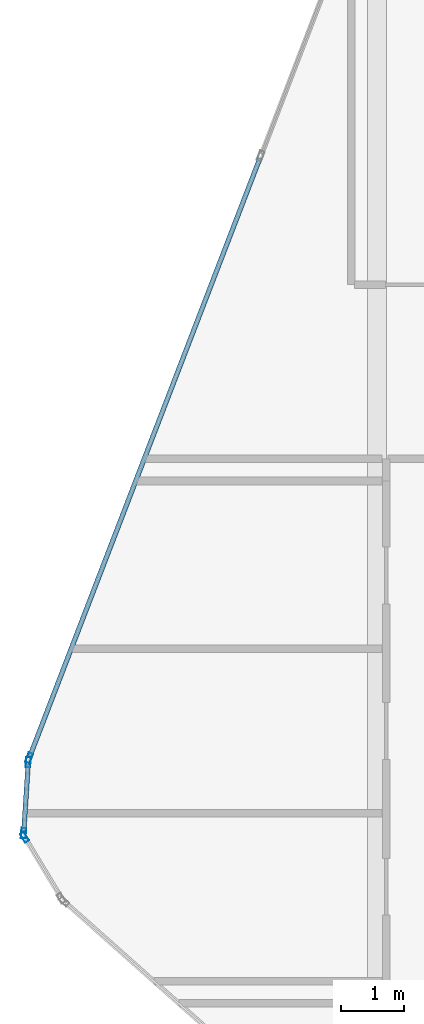
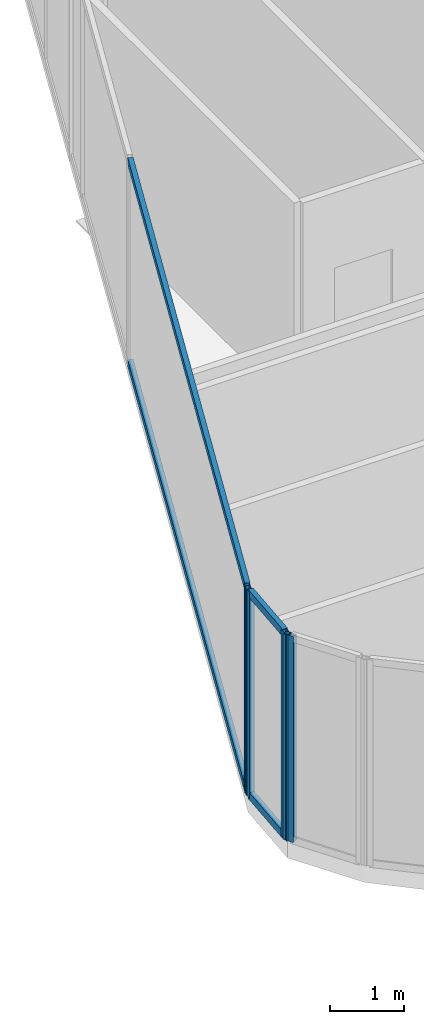
# One storey, part 8 of 27: 8 members, 3 elements without a shape of their own.
"""IFC4 building model written with IfcOpenShell, lengths in metres."""

from ifc_helpers import new_model, si_unit, direction, frame, origin, origin_2d, place, context, subcontext, project, spatial, hollow_rectangle, extrude, material, layer, layer_set, material_profile, profile_set, type_object, element, aggregate, save


model = new_model("IFC4")

# Units and contexts
model_context = context("Model", 3, precision=1e-05, world=origin(), true_north=direction((0.0, 1.0)))
body_context = subcontext(model_context, "Body", "Model", "MODEL_VIEW")
ifc_project = project(units=[si_unit("LENGTHUNIT", "METRE"), si_unit("AREAUNIT", "SQUARE_METRE"), si_unit("VOLUMEUNIT", "CUBIC_METRE"), si_unit("PLANEANGLEUNIT", "RADIAN"), si_unit("MASSUNIT", "GRAM", prefix="KILO")], contexts=[model_context])

# Site, building, storey
site_placement = place(None, origin())
site = spatial("IfcSite", under=ifc_project, at=site_placement, CompositionType="ELEMENT")
building_placement = place(site_placement, origin())
building = spatial("IfcBuilding", under=site, at=building_placement, Name="Keshet Zoharim Tower", CompositionType="ELEMENT")
storey_placement = place(building_placement, frame((0.0, 0.0, 307.300048828125)))
storey = spatial("IfcBuildingStorey", under=building, at=storey_placement, Name="L77", CompositionType="ELEMENT", Elevation=307.300048828125)

# Curtain wall, member
ifc_material = material(Name="Aluminium 6063-T6", Category="aluminium")
ifc_layer = layer(ifc_material, 0.260009765625)
ifc_layer_set = layer_set([ifc_layer], Name="Aluminium 6063-T6")
curtain_wall_type = type_object("IfcCurtainWallType", Name="CW-SYS-06", PredefinedType="NOTDEFINED", material=ifc_layer_set)
curtain_wall_1_placement = place(storey_placement, origin())
curtain_wall_1 = element("IfcCurtainWall", 1, at=curtain_wall_1_placement, inside=storey, type_object=curtain_wall_type, Name="L77 Unitised Curtain Wall 01", PredefinedType="NOTDEFINED")
ifc_material_profile_1 = material_profile(ifc_material, hollow_rectangle(XDim=0.074951171875, YDim=0.159912109375, WallThickness=0.00390625, at=origin_2d()), Name="MUL-75x160")
ifc_profile_set_1 = profile_set([ifc_material_profile_1], Name="Aluminium 6063-T6")
member_type_1 = type_object("IfcMemberType", Name="CWM-M15", PredefinedType="MULLION", material=ifc_profile_set_1)
member_1_placement = place(storey_placement, frame((3.43798828125, 22.77197265625, 0.0), z_axis=(0.0, 0.0, 1.0), x_axis=(-0.856826433805, -0.515604947933, 0.0)))
member_1 = element("IfcMember", 2, at=member_1_placement, type_object=member_type_1, Name="CW-06 mullion 2", PredefinedType="MULLION", context=body_context, shape_type="SweptSolid", body=[
    extrude(hollow_rectangle(XDim=0.074951171875, YDim=0.159912109375, WallThickness=0.00390625, at=origin_2d()), origin(), (0.0, 0.0, 1.0), 3.389892578125),
])
aggregate(curtain_wall_1, [member_1])

# Curtain wall, members
curtain_wall_2_placement = place(storey_placement, origin())
curtain_wall_2 = element("IfcCurtainWall", 3, at=curtain_wall_2_placement, inside=storey, type_object=curtain_wall_type, Name="L77 Unitised Curtain Wall 02", PredefinedType="NOTDEFINED")
member_2_placement = place(storey_placement, frame((3.42236328125, 22.8369140625, 0.0), z_axis=(0.0, 0.0, 1.0), x_axis=(-0.997916617186, 0.064516859374, 0.0)))
member_2 = element("IfcMember", 4, at=member_2_placement, type_object=member_type_1, Name="CW-06 mullion 1", PredefinedType="MULLION", context=body_context, shape_type="SweptSolid", body=[
    extrude(hollow_rectangle(XDim=0.074951171875, YDim=0.159912109375, WallThickness=0.00390625, at=origin_2d()), origin(), (0.0, 0.0, 1.0), 3.389892578125),
])
member_3_placement = place(storey_placement, frame((3.49462890625, 23.9580078125, 0.0), z_axis=(0.0, 0.0, 1.0), x_axis=(-0.997916617186, 0.064516859374, 0.0)))
member_3 = element("IfcMember", 5, at=member_3_placement, type_object=member_type_1, Name="CW-06 mullion 2", PredefinedType="MULLION", context=body_context, shape_type="SweptSolid", body=[
    extrude(hollow_rectangle(XDim=0.074951171875, YDim=0.159912109375, WallThickness=0.00390625, at=origin_2d()), origin(), (0.0, 0.0, 1.0), 3.389892578125),
])

# Curtain wall, member
curtain_wall_3_placement = place(storey_placement, origin())
curtain_wall_3 = element("IfcCurtainWall", 6, at=curtain_wall_3_placement, inside=storey, type_object=curtain_wall_type, Name="L77 Unitised Curtain Wall 03", PredefinedType="NOTDEFINED")
member_4_placement = place(storey_placement, frame((3.509521484375, 24.025634765625, 0.0), z_axis=(0.0, 0.0, 1.0), x_axis=(-0.933341404361, 0.358990003907, 0.0)))
member_4 = element("IfcMember", 7, at=member_4_placement, type_object=member_type_1, Name="CW-06 mullion 1", PredefinedType="MULLION", context=body_context, shape_type="SweptSolid", body=[
    extrude(hollow_rectangle(XDim=0.074951171875, YDim=0.159912109375, WallThickness=0.00390625, at=origin_2d()), origin(), (0.0, 0.0, 1.0), 3.389892578125),
])

# Member
ifc_material_profile_2 = material_profile(ifc_material, hollow_rectangle(XDim=0.074951171875, YDim=0.1201171875, WallThickness=0.00390625, at=origin_2d()), Name="TRN-75x120")
ifc_profile_set_2 = profile_set([ifc_material_profile_2], Name="Aluminium 6063-T6")
member_type_2 = type_object("IfcMemberType", Name="CWT-T12", PredefinedType="USERDEFINED", material=ifc_profile_set_2)
member_5_placement = place(storey_placement, frame((3.424560546875, 22.871826171875, 0.034912109375), z_axis=(0.064426947155, 0.997922426083, 0.0), x_axis=(-0.997922426083, 0.064426947155, 0.0)))
member_5 = element("IfcMember", 8, at=member_5_placement, type_object=member_type_2, Name="CW-06 transom 1.1", ObjectType="TRANSOM", PredefinedType="USERDEFINED", context=body_context, shape_type="SweptSolid", body=[
    extrude(hollow_rectangle(XDim=0.074951171875, YDim=0.1201171875, WallThickness=0.00390625, at=origin_2d()), origin(), (0.0, 0.0, 1.0), 1.053466796875),
])

member_6_placement = place(storey_placement, frame((3.424560546875, 22.871826171875, 3.35498046875), z_axis=(0.064426947155, 0.997922426083, 0.0), x_axis=(-0.997922426083, 0.064426947155, 0.0)))
member_6 = element("IfcMember", 9, at=member_6_placement, type_object=member_type_2, Name="CW-06 transom 1.2", ObjectType="TRANSOM", PredefinedType="USERDEFINED", context=body_context, shape_type="SweptSolid", body=[
    extrude(hollow_rectangle(XDim=0.074951171875, YDim=0.1201171875, WallThickness=0.00390625, at=origin_2d()), origin(), (0.0, 0.0, 1.0), 1.053466796875),
])

aggregate(curtain_wall_2, [member_2, member_3, member_5, member_6])

member_7_placement = place(storey_placement, frame((3.522216796875, 24.058349609375, 0.034912109375), z_axis=(0.358993631387, 0.93334000912, 0.0), x_axis=(-0.93334000912, 0.358993631387, 0.0)))
member_7 = element("IfcMember", 10, at=member_7_placement, type_object=member_type_2, Name="CW-06 transom 1.1", ObjectType="TRANSOM", PredefinedType="USERDEFINED", context=body_context, shape_type="SweptSolid", body=[
    extrude(hollow_rectangle(XDim=0.074951171875, YDim=0.1201171875, WallThickness=0.00390625, at=origin_2d()), origin(), (0.0, 0.0, 1.0), 10.1181640625),
])

member_8_placement = place(storey_placement, frame((3.522216796875, 24.058349609375, 3.35498046875), z_axis=(0.358993631387, 0.93334000912, 0.0), x_axis=(-0.93334000912, 0.358993631387, 0.0)))
member_8 = element("IfcMember", 11, at=member_8_placement, type_object=member_type_2, Name="CW-06 transom 1.2", ObjectType="TRANSOM", PredefinedType="USERDEFINED", context=body_context, shape_type="SweptSolid", body=[
    extrude(hollow_rectangle(XDim=0.074951171875, YDim=0.1201171875, WallThickness=0.00390625, at=origin_2d()), origin(), (0.0, 0.0, 1.0), 10.1181640625),
])

aggregate(curtain_wall_3, [member_4, member_7, member_8])

save(model, "model.ifc")
